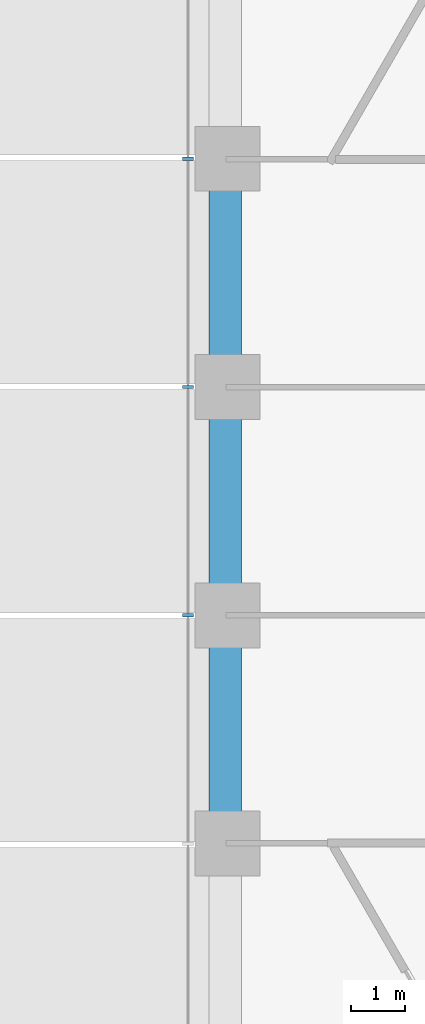
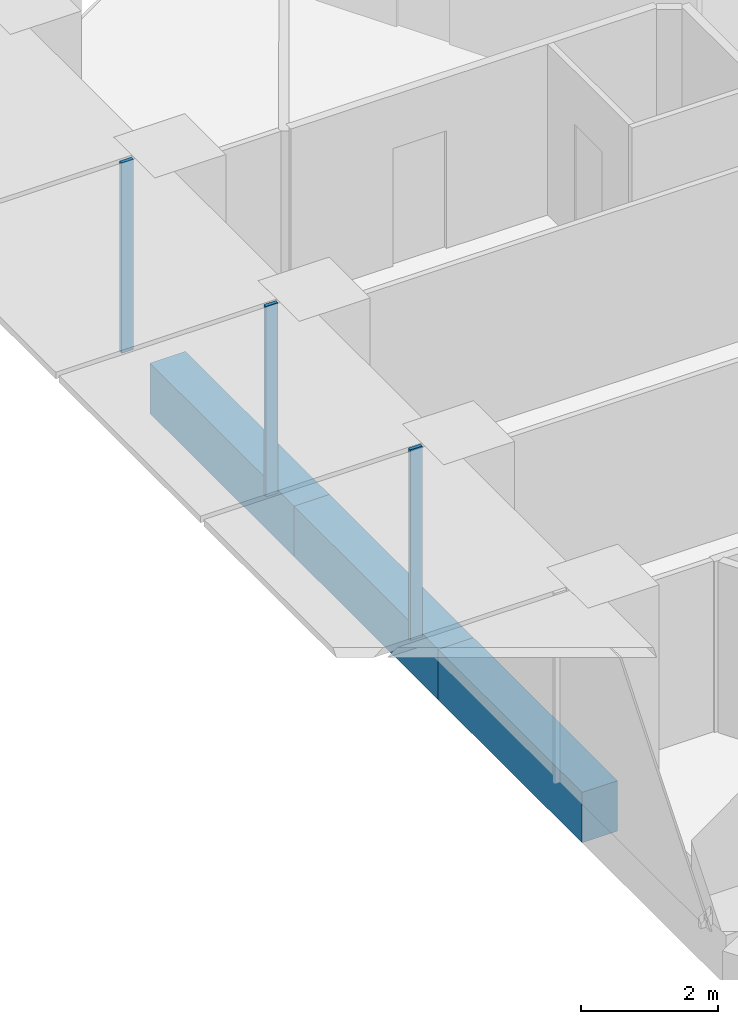
# One storey, part 3 of 19: 3 beams, 3 members, 1 element without a shape of its own.
"""IFC4 building model written with IfcOpenShell, lengths in metres."""

from ifc_helpers import new_model, si_unit, direction, frame, origin, origin_2d, place, context, subcontext, project, spatial, rectangle, extrude, material, layer, layer_set, material_profile, profile_set, type_object, element, aggregate, save


model = new_model("IFC4")

# Units and contexts
model_context = context("Model", 3, precision=1e-05, world=origin(), true_north=direction((0.0, 1.0)))
body_context = subcontext(model_context, "Body", "Model", "MODEL_VIEW")
ifc_project = project(units=[si_unit("LENGTHUNIT", "METRE"), si_unit("AREAUNIT", "SQUARE_METRE"), si_unit("VOLUMEUNIT", "CUBIC_METRE"), si_unit("PLANEANGLEUNIT", "RADIAN"), si_unit("MASSUNIT", "GRAM", prefix="KILO")], contexts=[model_context])

# Site, building, storey
site_placement = place(None, origin())
site = spatial("IfcSite", under=ifc_project, at=site_placement, CompositionType="ELEMENT")
building_placement = place(site_placement, origin())
building = spatial("IfcBuilding", under=site, at=building_placement, Name="Ayvan Gate Tower", CompositionType="ELEMENT")
storey_placement = place(building_placement, frame((0.0, 0.0, 52.699951171875)))
storey = spatial("IfcBuildingStorey", under=building, at=storey_placement, Name="L13", CompositionType="ELEMENT", Elevation=52.699951171875)

# Beams
ifc_material_1 = material(Name="Concrete C40/50", Category="concrete")
ifc_material_profile_1 = material_profile(ifc_material_1, rectangle(XDim=0.60009765625, YDim=0.89990234375, at=origin_2d()), Name="RC 600x900")
ifc_profile_set_1 = profile_set([ifc_material_profile_1], Name="Concrete C40/50")
beam_type = type_object("IfcBeamType", Name="Spandrel beam RC 600x900 C40/50", PredefinedType="BEAM", material=ifc_profile_set_1)
beam_1_placement = place(storey_placement, frame((-20.32373046875, 6.3203125, -0.800048828125), z_axis=(0.0, -1.0, 0.0), x_axis=(1.0, 0.0, 0.0)))
element("IfcBeam", 1, at=beam_1_placement, inside=storey, type_object=beam_type, Name="SB-L13-20", PredefinedType="BEAM", context=body_context, shape_type="SweptSolid", body=[
    extrude(rectangle(XDim=0.60009765625, YDim=0.89990234375, at=origin_2d()), origin(), (0.0, 0.0, 1.0), 4.213623046875),
])
beam_2_placement = place(storey_placement, frame((-20.32373046875, 2.106689453125, -0.800048828125), z_axis=(0.0, -1.0, 0.0), x_axis=(1.0, 0.0, 0.0)))
element("IfcBeam", 2, at=beam_2_placement, inside=storey, type_object=beam_type, Name="SB-L13-21", PredefinedType="BEAM", context=body_context, shape_type="SweptSolid", body=[
    extrude(rectangle(XDim=0.60009765625, YDim=0.89990234375, at=origin_2d()), origin(), (0.0, 0.0, 1.0), 4.21337890625),
])
beam_3_placement = place(storey_placement, frame((-20.32373046875, -2.106689453125, -0.800048828125), z_axis=(0.0, -1.0, 0.0), x_axis=(1.0, 0.0, 0.0)))
element("IfcBeam", 3, at=beam_3_placement, inside=storey, type_object=beam_type, Name="SB-L13-22", PredefinedType="BEAM", context=body_context, shape_type="SweptSolid", body=[
    extrude(rectangle(XDim=0.60009765625, YDim=0.89990234375, at=origin_2d()), origin(), (0.0, 0.0, 1.0), 4.213623046875),
])

# Curtain wall, members
ifc_material_2 = material(Name="Bronze anodised aluminium", Category="aluminium")
ifc_layer = layer(ifc_material_2, 0.199951171875)
ifc_layer_set = layer_set([ifc_layer], Name="Bronze anodised aluminium")
curtain_wall_type = type_object("IfcCurtainWallType", Name="Stick curtain wall CW-1", PredefinedType="NOTDEFINED", material=ifc_layer_set)
curtain_wall_placement = place(storey_placement, origin())
curtain_wall = element("IfcCurtainWall", 4, at=curtain_wall_placement, inside=storey, type_object=curtain_wall_type, Name="Stick curtain wall CW-1 L13", PredefinedType="NOTDEFINED")
ifc_material_profile_2 = material_profile(ifc_material_2, rectangle(XDim=0.199951171875, YDim=0.06005859375, at=origin_2d()), Name="Stick curtain wall CW-1 mullion 200 x 60")
ifc_profile_set_2 = profile_set([ifc_material_profile_2], Name="Bronze anodised aluminium")
member_type = type_object("IfcMemberType", Name="Stick curtain wall CW-1 mullion 200 x 60", PredefinedType="MULLION", material=ifc_profile_set_2)
member_1_placement = place(storey_placement, frame((-21.009765625, 6.335205078125, 0.0), z_axis=(0.0, 0.0, 1.0), x_axis=(-1.0, 0.0, 0.0)))
member_1 = element("IfcMember", 5, at=member_1_placement, type_object=member_type, Name="CW-1 mullion 2", PredefinedType="MULLION", context=body_context, shape_type="SweptSolid", body=[
    extrude(rectangle(XDim=0.199951171875, YDim=0.06005859375, at=origin_2d()), origin(), (0.0, 0.0, 1.0), 3.400146484375),
])
member_2_placement = place(storey_placement, frame((-21.009765625, 2.1123046875, 0.0), z_axis=(0.0, 0.0, 1.0), x_axis=(-1.0, 0.0, 0.0)))
member_2 = element("IfcMember", 6, at=member_2_placement, type_object=member_type, Name="CW-1 mullion 3", PredefinedType="MULLION", context=body_context, shape_type="SweptSolid", body=[
    extrude(rectangle(XDim=0.199951171875, YDim=0.06005859375, at=origin_2d()), origin(), (0.0, 0.0, 1.0), 3.400146484375),
])
member_3_placement = place(storey_placement, frame((-21.009765625, -2.11181640625, 0.0), z_axis=(0.0, 0.0, 1.0), x_axis=(-1.0, 0.0, 0.0)))
member_3 = element("IfcMember", 7, at=member_3_placement, type_object=member_type, Name="CW-1 mullion 4", PredefinedType="MULLION", context=body_context, shape_type="SweptSolid", body=[
    extrude(rectangle(XDim=0.199951171875, YDim=0.06005859375, at=origin_2d()), origin(), (0.0, 0.0, 1.0), 3.400146484375),
])
aggregate(curtain_wall, [member_1, member_2, member_3])

save(model, "model.ifc")
